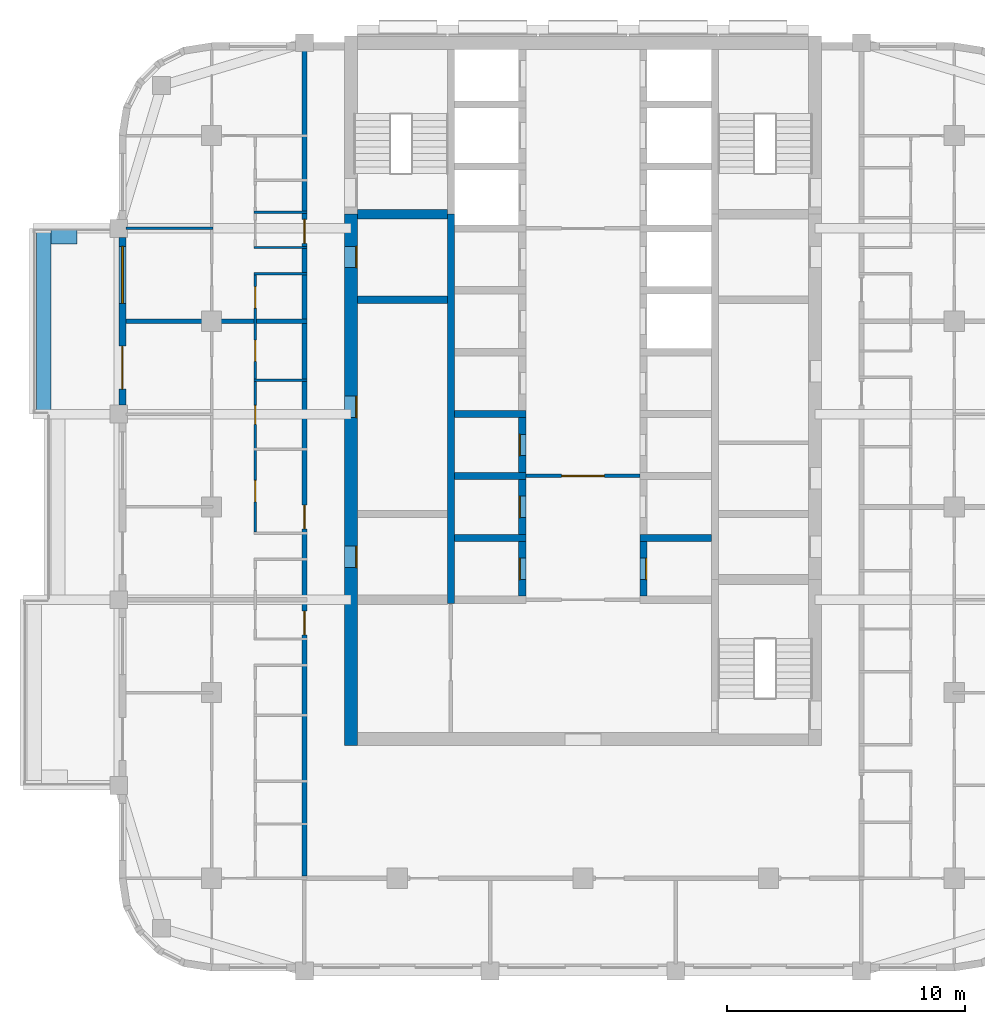
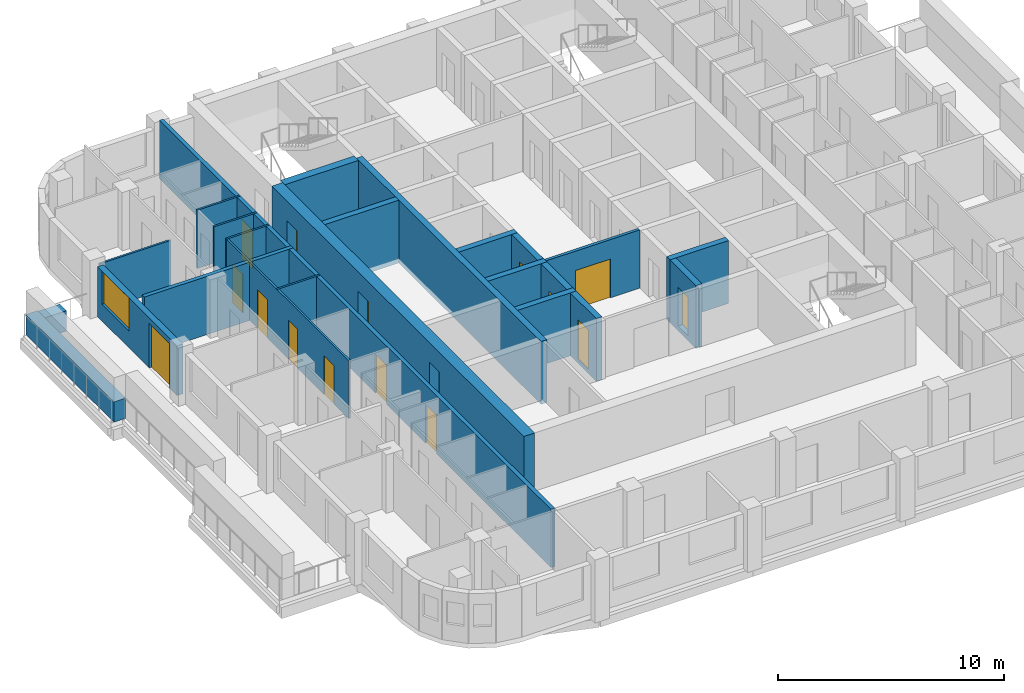
# One storey, part 4 of 13: 24 walls, 16 doors, 1 window, 17 openings.
"""IFC4 building model written with IfcOpenShell, lengths in metres."""

from ifc_helpers import new_model, si_unit, direction, frame, frame_2d, origin, place, context, subcontext, project, spatial, rectangle, extrude, material, layer, layer_set, type_object, element, fill, save


model = new_model("IFC4")

# Units and contexts
model_context = context("Model", 3, precision=1e-05, world=origin(), true_north=direction((0.0, 1.0)))
body_context = subcontext(model_context, "Body", "Model", "MODEL_VIEW")
ifc_project = project(units=[si_unit("LENGTHUNIT", "METRE"), si_unit("AREAUNIT", "SQUARE_METRE"), si_unit("VOLUMEUNIT", "CUBIC_METRE"), si_unit("PLANEANGLEUNIT", "RADIAN"), si_unit("MASSUNIT", "GRAM", prefix="KILO")], contexts=[model_context])

# Site, building, storey
site_placement = place(None, origin())
site = spatial("IfcSite", under=ifc_project, at=site_placement, CompositionType="ELEMENT")
building_placement = place(site_placement, origin())
building = spatial("IfcBuilding", under=site, at=building_placement, Name="Ludao Terraces", CompositionType="ELEMENT")
storey_placement = place(building_placement, frame((0.0, 0.0, 155.39990234375)))
storey = spatial("IfcBuildingStorey", under=building, at=storey_placement, Name="L42", CompositionType="ELEMENT", Elevation=155.39990234375)

# Wall, openings, doors
ifc_material_1 = material(Name="Concrete C60", Category="concrete")
ifc_layer_1 = layer(ifc_material_1, 0.550048828125)
ifc_layer_set_1 = layer_set([ifc_layer_1], Name="Core wall 550 C60")
wall_type_1 = type_object("IfcWallType", Name="Core wall 550 C60", PredefinedType="SOLIDWALL", material=ifc_layer_set_1)
wall_1_placement = place(storey_placement, frame((75.25, 54.97509765625, -0.25), z_axis=(0.0, 0.0, 1.0), x_axis=(0.0, 1.0, 0.0)))
wall_1 = element("IfcWall", 1, at=wall_1_placement, inside=storey, type_object=wall_type_1, Name="Core wall L42 outer-W", PredefinedType="SOLIDWALL", context=body_context, shape_type="SweptSolid", body=[
    extrude(rectangle(XDim=22.324951171875, YDim=0.550048828125, at=frame_2d((11.16259765625, 0.0))), origin(), (0.0, 0.0, 1.0), 3.400146484375),
])
opening_1_placement = place(wall_1_placement, frame((7.47509765625, 0.0, 0.25)))
opening_1 = element("IfcOpeningElement", 2, at=opening_1_placement, cuts=wall_1, Name="Opening R14-033", PredefinedType="OPENING", context=body_context, shape_type="SweptSolid", body=[
    extrude(rectangle(XDim=0.89990234375, YDim=2.10009765625, at=frame_2d((0.449951171875, 1.050048828125))), frame((0.0, 0.28515625, 0.0), z_axis=(0.0, -1.0, 0.0), x_axis=(1.0, 0.0, 0.0)), (0.0, 0.0, 1.0), 0.570068359375),
])
opening_2_placement = place(wall_1_placement, frame((13.77490234375, 0.0, 0.25)))
opening_2 = element("IfcOpeningElement", 3, at=opening_2_placement, cuts=wall_1, Name="Opening R14-051", PredefinedType="OPENING", context=body_context, shape_type="SweptSolid", body=[
    extrude(rectangle(XDim=0.89990234375, YDim=2.10009765625, at=frame_2d((0.449951171875, 1.050048828125))), frame((0.0, 0.28515625, 0.0), z_axis=(0.0, -1.0, 0.0), x_axis=(1.0, 0.0, 0.0)), (0.0, 0.0, 1.0), 0.570068359375),
])
opening_3_placement = place(wall_1_placement, frame((20.074951171875, 0.0, 0.25)))
opening_3 = element("IfcOpeningElement", 4, at=opening_3_placement, cuts=wall_1, Name="Opening R14-069", PredefinedType="OPENING", context=body_context, shape_type="SweptSolid", body=[
    extrude(rectangle(XDim=0.89990234375, YDim=2.10009765625, at=frame_2d((0.449951171875, 1.050048828125))), frame((0.0, 0.28515625, 0.0), z_axis=(0.0, -1.0, 0.0), x_axis=(1.0, 0.0, 0.0)), (0.0, 0.0, 1.0), 0.570068359375),
])
ifc_material_2 = material(Name="Steel Q235", Category="steel")
door_type_1 = type_object("IfcDoorType", Name="INT Riser door 900", OperationType="SINGLE_SWING_LEFT", PredefinedType="DOOR", material=ifc_material_2)
door_1_placement = place(opening_1_placement, origin())
door_1 = element("IfcDoor", 5, at=door_1_placement, inside=storey, type_object=door_type_1, Name="DOOR 033", OperationType="SINGLE_SWING_RIGHT", OverallHeight=2.10009765625, OverallWidth=0.89990234375, PredefinedType="DOOR", context=body_context, shape_type="SweptSolid", body=[
    extrude(rectangle(XDim=0.89990234375, YDim=2.10009765625, at=frame_2d((0.449951171875, 1.050048828125))), frame((0.0, -0.2099609375, 0.0), z_axis=(0.0, -1.0, 0.0), x_axis=(1.0, 0.0, 0.0)), (0.0, 0.0, 1.0), 0.050048828125),
])
fill(opening_1, door_1)
door_2_placement = place(opening_3_placement, origin())
door_2 = element("IfcDoor", 6, at=door_2_placement, inside=storey, type_object=door_type_1, Name="DOOR 069", OperationType="SINGLE_SWING_LEFT", OverallHeight=2.10009765625, OverallWidth=0.89990234375, PredefinedType="DOOR", context=body_context, shape_type="SweptSolid", body=[
    extrude(rectangle(XDim=0.89990234375, YDim=2.10009765625, at=frame_2d((0.449951171875, 1.050048828125))), frame((0.0, -0.2099609375, 0.0), z_axis=(0.0, -1.0, 0.0), x_axis=(1.0, 0.0, 0.0)), (0.0, 0.0, 1.0), 0.050048828125),
])
fill(opening_3, door_2)
ifc_material_3 = material(Name="Timber door leaf", Category="wood")
door_type_2 = type_object("IfcDoorType", Name="INT Room door 900", OperationType="SINGLE_SWING_LEFT", PredefinedType="DOOR", material=ifc_material_3)
door_3_placement = place(opening_2_placement, origin())
door_3 = element("IfcDoor", 7, at=door_3_placement, inside=storey, type_object=door_type_2, Name="DOOR 051", OperationType="SINGLE_SWING_LEFT", OverallHeight=2.10009765625, OverallWidth=0.89990234375, PredefinedType="DOOR", context=body_context, shape_type="SweptSolid", body=[
    extrude(rectangle(XDim=0.89990234375, YDim=2.10009765625, at=frame_2d((0.449951171875, 1.050048828125))), frame((0.0, -0.2099609375, 0.0), z_axis=(0.0, -1.0, 0.0), x_axis=(1.0, 0.0, 0.0)), (0.0, 0.0, 1.0), 0.050048828125),
])
fill(opening_2, door_3)

# Walls
ifc_material_4 = material(Name="Concrete C40", Category="concrete")
ifc_layer_2 = layer(ifc_material_4, 0.60009765625)
ifc_layer_set_2 = layer_set([ifc_layer_2], Name="ENV Planter trough 600")
wall_type_2 = type_object("IfcWallType", Name="ENV Planter trough 600", PredefinedType="USERDEFINED", material=ifc_layer_set_2)
wall_2_placement = place(storey_placement, frame((62.35009765625, 68.89990234375, 0.0), z_axis=(0.0, 0.0, 1.0), x_axis=(0.0, 1.0, 0.0)))
element("IfcWall", 8, at=wall_2_placement, inside=storey, type_object=wall_type_2, Name="PL-L42-W3", ObjectType="PLANTER", PredefinedType="USERDEFINED", context=body_context, shape_type="SweptSolid", body=[
    extrude(rectangle(XDim=7.800048828125, YDim=0.60009765625, at=frame_2d((3.89990234375, 0.0))), origin(), (0.0, 0.0, 1.0), 1.10009765625),
])
wall_3_placement = place(storey_placement, frame((62.64990234375, 76.35009765625, 0.0), z_axis=(0.0, 0.0, 1.0), x_axis=(1.0, 0.0, 0.0)))
element("IfcWall", 9, at=wall_3_placement, inside=storey, type_object=wall_type_2, Name="PL-L42-W3-SB", ObjectType="PLANTER", PredefinedType="USERDEFINED", context=body_context, shape_type="SweptSolid", body=[
    extrude(rectangle(XDim=1.10009765625, YDim=0.60009765625, at=frame_2d((0.550048828125, 0.0))), origin(), (0.0, 0.0, 1.0), 1.10009765625),
])

# Wall, openings, door, window
ifc_material_5 = material(Name="Granite cladding", Category="masonry")
ifc_layer_3 = layer(ifc_material_5, 0.0400390625, Category="stone")
ifc_material_6 = material(Name="Mineral wool")
ifc_layer_4 = layer(ifc_material_6, 0.06005859375)
ifc_layer_5 = layer(ifc_material_4, 0.199951171875, Category="concrete")
ifc_layer_set_3 = layer_set([ifc_layer_3, ifc_layer_4, ifc_layer_5], Name="ENV Stone-clad wall 300")
wall_type_3 = type_object("IfcWallType", Name="ENV Stone-clad wall 300", PredefinedType="SOLIDWALL", material=ifc_layer_set_3)
wall_4_placement = place(storey_placement, frame((65.64990234375, 69.27490234375, 0.0), z_axis=(0.0, 0.0, 1.0), x_axis=(0.0, 1.0, 0.0)))
wall_4 = element("IfcWall", 10, at=wall_4_placement, inside=storey, type_object=wall_type_3, Name="EW-L42-W4", PredefinedType="SOLIDWALL", context=body_context, shape_type="SweptSolid", body=[
    extrude(rectangle(XDim=7.050048828125, YDim=0.300048828125, at=frame_2d((3.52490234375, 0.0))), origin(), (0.0, 0.0, 1.0), 2.7001953125),
])
opening_4_placement = place(wall_4_placement, frame((0.675048828125, 0.0, 0.0)))
opening_4 = element("IfcOpeningElement", 11, at=opening_4_placement, cuts=wall_4, Name="Opening BD", PredefinedType="OPENING", context=body_context, shape_type="SweptSolid", body=[
    extrude(rectangle(XDim=1.800048828125, YDim=2.39990234375, at=frame_2d((0.89990234375, 1.199951171875))), frame((0.0, 0.16015625, 0.0), z_axis=(0.0, -1.0, 0.0), x_axis=(1.0, 0.0, 0.0)), (0.0, 0.0, 1.0), 0.320068359375),
])
opening_5_placement = place(wall_4_placement, frame((4.27490234375, 0.0, 0.89990234375)))
opening_5 = element("IfcOpeningElement", 12, at=opening_5_placement, cuts=wall_4, Name="Opening W1", PredefinedType="OPENING", context=body_context, shape_type="SweptSolid", body=[
    extrude(rectangle(XDim=2.39990234375, YDim=1.800048828125, at=frame_2d((1.199951171875, 0.89990234375))), frame((0.0, 0.16015625, 0.0), z_axis=(0.0, -1.0, 0.0), x_axis=(1.0, 0.0, 0.0)), (0.0, 0.0, 1.0), 0.320068359375),
])
ifc_material_7 = material(Name="Aluminium glazed door", Category="aluminium")
ifc_layer_6 = layer(ifc_material_7, 0.06005859375)
ifc_layer_set_4 = layer_set([ifc_layer_6], Name="ENV Balcony door BD 1800x2400")
door_type_3 = type_object("IfcDoorType", Name="ENV Balcony door BD 1800x2400", OperationType="DOUBLE_DOOR_SINGLE_SWING", PredefinedType="DOOR", material=ifc_layer_set_4)
door_4_placement = place(opening_4_placement, origin())
door_4 = element("IfcDoor", 13, at=door_4_placement, inside=storey, type_object=door_type_3, Name="BD-L42-W4-1", OperationType="DOUBLE_DOOR_SINGLE_SWING", OverallHeight=2.39990234375, OverallWidth=1.800048828125, PredefinedType="DOOR", context=body_context, shape_type="SweptSolid", body=[
    extrude(rectangle(XDim=1.800048828125, YDim=2.39990234375, at=frame_2d((0.89990234375, 1.199951171875))), frame((0.0, 0.02490234375, 0.0), z_axis=(0.0, -1.0, 0.0), x_axis=(1.0, 0.0, 0.0)), (0.0, 0.0, 1.0), 0.050048828125),
])
fill(opening_4, door_4)
ifc_material_8 = material(Name="Clear glass in aluminium frame", Category="aluminium")
ifc_layer_7 = layer(ifc_material_8, 0.06005859375)
ifc_layer_set_5 = layer_set([ifc_layer_7], Name="ENV Window W1 2400x1800")
window_type = type_object("IfcWindowType", Name="ENV Window W1 2400x1800", PartitioningType="DOUBLE_PANEL_VERTICAL", PredefinedType="WINDOW", material=ifc_layer_set_5)
window_placement = place(opening_5_placement, origin())
window = element("IfcWindow", 14, at=window_placement, inside=storey, type_object=window_type, Name="W-L42-W4-2", OverallHeight=1.800048828125, OverallWidth=2.39990234375, PartitioningType="DOUBLE_PANEL_VERTICAL", PredefinedType="WINDOW", context=body_context, shape_type="SweptSolid", body=[
    extrude(rectangle(XDim=2.39990234375, YDim=1.800048828125, at=frame_2d((1.199951171875, 0.89990234375))), frame((0.0, 0.030029296875, 0.0), z_axis=(0.0, -1.0, 0.0), x_axis=(1.0, 0.0, 0.0)), (0.0, 0.0, 1.0), 0.06005859375),
])
fill(opening_5, window)

# Wall, opening, door
ifc_material_9 = material(Name="Fire-rated gypsum plasterboard", Category="gypsum")
ifc_layer_8 = layer(ifc_material_9, 0.012451171875, Category="gypsum")
ifc_layer_9 = layer(ifc_material_6, 0.10009765625, Name="insulation")
ifc_layer_10 = layer(ifc_material_2, 0.02490234375, Name="stud")
ifc_layer_11 = layer(ifc_material_9, 0.012451171875, Category="gypsum")
ifc_layer_set_6 = layer_set([ifc_layer_8, ifc_layer_9, ifc_layer_10, ifc_layer_11], Name="INT Core partition 150")
wall_type_4 = type_object("IfcWallType", Name="INT Core partition 150", PredefinedType="PARTITIONING", material=ifc_layer_set_6)
wall_5_placement = place(storey_placement, frame((82.60009765625, 66.300048828125, 0.0), z_axis=(0.0, 0.0, 1.0), x_axis=(1.0, 0.0, 0.0)))
wall_5 = element("IfcWall", 15, at=wall_5_placement, inside=storey, type_object=wall_type_4, Name="PW-L42-PW024", PredefinedType="PARTITIONING", context=body_context, shape_type="SweptSolid", body=[
    extrude(rectangle(XDim=4.800048828125, YDim=0.14990234375, at=frame_2d((2.39990234375, 0.0))), origin(), (0.0, 0.0, 1.0), 3.150146484375),
])
opening_6_placement = place(wall_5_placement, frame((1.5, 0.0, 0.0)))
opening_6 = element("IfcOpeningElement", 16, at=opening_6_placement, cuts=wall_5, Name="Opening R14-044", PredefinedType="OPENING", context=body_context, shape_type="SweptSolid", body=[
    extrude(rectangle(XDim=1.800048828125, YDim=2.10009765625, at=frame_2d((0.89990234375, 1.050048828125))), frame((0.0, 0.0849609375, 0.0), z_axis=(0.0, -1.0, 0.0), x_axis=(1.0, 0.0, 0.0)), (0.0, 0.0, 1.0), 0.169921875),
])
door_type_4 = type_object("IfcDoorType", Name="INT Fire lobby door 1800", OperationType="DOUBLE_DOOR_SINGLE_SWING", PredefinedType="DOOR", material=ifc_material_2)
door_5_placement = place(opening_6_placement, origin())
door_5 = element("IfcDoor", 17, at=door_5_placement, inside=storey, type_object=door_type_4, Name="DOOR 044", OperationType="DOUBLE_DOOR_SINGLE_SWING", OverallHeight=2.10009765625, OverallWidth=1.800048828125, PredefinedType="DOOR", context=body_context, shape_type="SweptSolid", body=[
    extrude(rectangle(XDim=1.800048828125, YDim=2.10009765625, at=frame_2d((0.89990234375, 1.050048828125))), frame((0.0, 0.02490234375, 0.0), z_axis=(0.0, -1.0, 0.0), x_axis=(1.0, 0.0, 0.0)), (0.0, 0.0, 1.0), 0.050048828125),
])
fill(opening_6, door_5)

# Wall, openings, doors
ifc_material_10 = material(Name="Autoclaved aerated concrete block B06 A3.5", Category="concrete")
ifc_layer_12 = layer(ifc_material_10, 0.199951171875)
ifc_layer_set_7 = layer_set([ifc_layer_12], Name="INT Entrance wall 200")
wall_type_5 = type_object("IfcWallType", Name="INT Entrance wall 200", PredefinedType="PARTITIONING", material=ifc_layer_set_7)
wall_6_placement = place(storey_placement, frame((73.300048828125, 49.5, 0.0), z_axis=(0.0, 0.0, 1.0), x_axis=(0.0, 1.0, 0.0)))
wall_6 = element("IfcWall", 18, at=wall_6_placement, inside=storey, type_object=wall_type_5, Name="PW-L42-PW054", PredefinedType="PARTITIONING", context=body_context, shape_type="SweptSolid", body=[
    extrude(rectangle(XDim=34.7001953125, YDim=0.199951171875, at=frame_2d((17.35009765625, 0.0))), origin(), (0.0, 0.0, 1.0), 3.150146484375),
])
opening_7_placement = place(wall_6_placement, frame((10.125, 0.0, 0.0)))
opening_7 = element("IfcOpeningElement", 19, at=opening_7_placement, cuts=wall_6, Name="Opening R14-026", PredefinedType="OPENING", context=body_context, shape_type="SweptSolid", body=[
    extrude(rectangle(XDim=1.0, YDim=2.10009765625, at=frame_2d((0.5, 1.050048828125))), frame((0.0, 0.10986328125, 0.0), z_axis=(0.0, -1.0, 0.0), x_axis=(1.0, 0.0, 0.0)), (0.0, 0.0, 1.0), 0.219970703125),
])
opening_8_placement = place(wall_6_placement, frame((14.5751953125, 0.0, 0.0)))
opening_8 = element("IfcOpeningElement", 20, at=opening_8_placement, cuts=wall_6, Name="Opening R14-038", PredefinedType="OPENING", context=body_context, shape_type="SweptSolid", body=[
    extrude(rectangle(XDim=1.0, YDim=2.10009765625, at=frame_2d((0.5, 1.050048828125))), frame((0.0, 0.10986328125, 0.0), z_axis=(0.0, -1.0, 0.0), x_axis=(1.0, 0.0, 0.0)), (0.0, 0.0, 1.0), 0.219970703125),
])
opening_9_placement = place(wall_6_placement, frame((26.5751953125, 0.0, 0.0)))
opening_9 = element("IfcOpeningElement", 21, at=opening_9_placement, cuts=wall_6, Name="Opening R14-072", PredefinedType="OPENING", context=body_context, shape_type="SweptSolid", body=[
    extrude(rectangle(XDim=1.0, YDim=2.10009765625, at=frame_2d((0.5, 1.050048828125))), frame((0.0, 0.10986328125, 0.0), z_axis=(0.0, -1.0, 0.0), x_axis=(1.0, 0.0, 0.0)), (0.0, 0.0, 1.0), 0.219970703125),
])
door_type_5 = type_object("IfcDoorType", Name="INT Flat entrance door 1000", OperationType="SINGLE_SWING_LEFT", PredefinedType="DOOR", material=ifc_material_2)
door_6_placement = place(opening_7_placement, origin())
door_6 = element("IfcDoor", 22, at=door_6_placement, inside=storey, type_object=door_type_5, Name="DOOR 026", OperationType="SINGLE_SWING_RIGHT", OverallHeight=2.10009765625, OverallWidth=1.0, PredefinedType="DOOR", context=body_context, shape_type="SweptSolid", body=[
    extrude(rectangle(XDim=1.0, YDim=2.10009765625, at=frame_2d((0.5, 1.050048828125))), frame((0.0, 0.02490234375, 0.0), z_axis=(0.0, -1.0, 0.0), x_axis=(1.0, 0.0, 0.0)), (0.0, 0.0, 1.0), 0.050048828125),
])
fill(opening_7, door_6)
door_7_placement = place(opening_8_placement, origin())
door_7 = element("IfcDoor", 23, at=door_7_placement, inside=storey, type_object=door_type_5, Name="DOOR 038", OperationType="SINGLE_SWING_RIGHT", OverallHeight=2.10009765625, OverallWidth=1.0, PredefinedType="DOOR", context=body_context, shape_type="SweptSolid", body=[
    extrude(rectangle(XDim=1.0, YDim=2.10009765625, at=frame_2d((0.5, 1.050048828125))), frame((0.0, 0.02490234375, 0.0), z_axis=(0.0, -1.0, 0.0), x_axis=(1.0, 0.0, 0.0)), (0.0, 0.0, 1.0), 0.050048828125),
])
fill(opening_8, door_7)
door_8_placement = place(opening_9_placement, origin())
door_8 = element("IfcDoor", 24, at=door_8_placement, inside=storey, type_object=door_type_5, Name="DOOR 072", OperationType="SINGLE_SWING_RIGHT", OverallHeight=2.10009765625, OverallWidth=1.0, PredefinedType="DOOR", context=body_context, shape_type="SweptSolid", body=[
    extrude(rectangle(XDim=1.0, YDim=2.10009765625, at=frame_2d((0.5, 1.050048828125))), frame((0.0, 0.02490234375, 0.0), z_axis=(0.0, -1.0, 0.0), x_axis=(1.0, 0.0, 0.0)), (0.0, 0.0, 1.0), 0.050048828125),
])
fill(opening_9, door_8)

# Walls
ifc_material_11 = material(Name="Gypsum plasterboard", Category="gypsum")
ifc_layer_13 = layer(ifc_material_11, 0.012451171875, Category="gypsum")
ifc_layer_14 = layer(ifc_material_6, 0.06005859375, Name="insulation")
ifc_layer_15 = layer(ifc_material_2, 0.014892578125, Name="stud")
ifc_layer_16 = layer(ifc_material_11, 0.012451171875, Category="gypsum")
ifc_layer_set_8 = layer_set([ifc_layer_13, ifc_layer_14, ifc_layer_15, ifc_layer_16], Name="INT Partition 100")
wall_type_6 = type_object("IfcWallType", Name="INT Partition 100", PredefinedType="PARTITIONING", material=ifc_layer_set_8)
for number, where, z_axis, x_axis, name in (
    (25, (71.18017578125, 70.320068359375, 0.0), (0.0, 0.0, 1.0), (1.0, 0.0, 0.0), "PW-L42-PW030"),
    (26, (71.18017578125, 74.800048828125, 0.0), (0.0, 0.0, 1.0), (1.0, 0.0, 0.0), "PW-L42-PW035"),
    (27, (71.18017578125, 75.89990234375, 0.0), (0.0, 0.0, 1.0), (1.0, 0.0, 0.0), "PW-L42-PW037"),
):
    element("IfcWall", number, at=place(storey_placement, frame(where, z_axis=z_axis, x_axis=x_axis)), inside=storey, type_object=wall_type_6, Name=name, PredefinedType="PARTITIONING", context=body_context, shape_type="SweptSolid", body=[
        extrude(rectangle(XDim=2.219970703125, YDim=0.10009765625, at=frame_2d((1.10986328125, 0.0))), origin(), (0.0, 0.0, 1.0), 3.150146484375),
    ])
wall_7_placement = place(storey_placement, frame((65.800048828125, 76.699951171875, 0.0), z_axis=(0.0, 0.0, 1.0), x_axis=(1.0, 0.0, 0.0)))
element("IfcWall", 28, at=wall_7_placement, inside=storey, type_object=wall_type_6, Name="PW-L42-PW039", PredefinedType="PARTITIONING", context=body_context, shape_type="SweptSolid", body=[
    extrude(rectangle(XDim=3.650146484375, YDim=0.10009765625, at=frame_2d((1.8251953125, 0.0))), origin(), (0.0, 0.0, 1.0), 2.550048828125),
])
wall_8_placement = place(storey_placement, frame((71.18017578125, 77.3798828125, 0.0), z_axis=(0.0, 0.0, 1.0), x_axis=(1.0, 0.0, 0.0)))
element("IfcWall", 29, at=wall_8_placement, inside=storey, type_object=wall_type_6, Name="PW-L42-PW043", PredefinedType="PARTITIONING", context=body_context, shape_type="SweptSolid", body=[
    extrude(rectangle(XDim=2.219970703125, YDim=0.10009765625, at=frame_2d((1.10986328125, 0.0))), origin(), (0.0, 0.0, 1.0), 3.150146484375),
])

# Wall, openings, doors
wall_9_placement = place(storey_placement, frame((71.22998046875, 63.9501953125, 0.0), z_axis=(0.0, 0.0, 1.0), x_axis=(0.0, 1.0, 0.0)))
wall_9 = element("IfcWall", 30, at=wall_9_placement, inside=storey, type_object=wall_type_6, Name="PW-L42-PW051", PredefinedType="PARTITIONING", context=body_context, shape_type="SweptSolid", body=[
    extrude(rectangle(XDim=10.7998046875, YDim=0.10009765625, at=frame_2d((5.39990234375, 0.0))), origin(), (0.0, 0.0, 1.0), 3.150146484375),
])
opening_10_placement = place(wall_9_placement, frame((1.260009765625, 0.0, 0.0)))
opening_10 = element("IfcOpeningElement", 31, at=opening_10_placement, cuts=wall_9, Name="Opening R14-041", PredefinedType="OPENING", context=body_context, shape_type="SweptSolid", body=[
    extrude(rectangle(XDim=0.89990234375, YDim=2.10009765625, at=frame_2d((0.449951171875, 1.050048828125))), frame((0.0, 0.06005859375, 0.0), z_axis=(0.0, -1.0, 0.0), x_axis=(1.0, 0.0, 0.0)), (0.0, 0.0, 1.0), 0.1201171875),
])
opening_11_placement = place(wall_9_placement, frame((4.52001953125, 0.0, 0.0)))
opening_11 = element("IfcOpeningElement", 32, at=opening_11_placement, cuts=wall_9, Name="Opening R14-049", PredefinedType="OPENING", context=body_context, shape_type="SweptSolid", body=[
    extrude(rectangle(XDim=0.800048828125, YDim=2.10009765625, at=frame_2d((0.39990234375, 1.050048828125))), frame((0.0, 0.06005859375, 0.0), z_axis=(0.0, -1.0, 0.0), x_axis=(1.0, 0.0, 0.0)), (0.0, 0.0, 1.0), 0.1201171875),
])
opening_12_placement = place(wall_9_placement, frame((7.159912109375, 0.0, 0.0)))
opening_12 = element("IfcOpeningElement", 33, at=opening_12_placement, cuts=wall_9, Name="Opening R14-058", PredefinedType="OPENING", context=body_context, shape_type="SweptSolid", body=[
    extrude(rectangle(XDim=0.89990234375, YDim=2.10009765625, at=frame_2d((0.449951171875, 1.050048828125))), frame((0.0, 0.06005859375, 0.0), z_axis=(0.0, -1.0, 0.0), x_axis=(1.0, 0.0, 0.0)), (0.0, 0.0, 1.0), 0.1201171875),
])
opening_13_placement = place(wall_9_placement, frame((9.39990234375, 0.0, 0.0)))
opening_13 = element("IfcOpeningElement", 34, at=opening_13_placement, cuts=wall_9, Name="Opening R14-062", PredefinedType="OPENING", context=body_context, shape_type="SweptSolid", body=[
    extrude(rectangle(XDim=0.89990234375, YDim=2.10009765625, at=frame_2d((0.449951171875, 1.050048828125))), frame((0.0, 0.06005859375, 0.0), z_axis=(0.0, -1.0, 0.0), x_axis=(1.0, 0.0, 0.0)), (0.0, 0.0, 1.0), 0.1201171875),
])
door_type_6 = type_object("IfcDoorType", Name="INT Bathroom door 900", OperationType="SINGLE_SWING_LEFT", PredefinedType="DOOR", material=ifc_material_3)
door_9_placement = place(opening_12_placement, origin())
door_9 = element("IfcDoor", 35, at=door_9_placement, inside=storey, type_object=door_type_6, Name="DOOR 058", OperationType="SINGLE_SWING_LEFT", OverallHeight=2.10009765625, OverallWidth=0.89990234375, PredefinedType="DOOR", context=body_context, shape_type="SweptSolid", body=[
    extrude(rectangle(XDim=0.89990234375, YDim=2.10009765625, at=frame_2d((0.449951171875, 1.050048828125))), frame((0.0, 0.02490234375, 0.0), z_axis=(0.0, -1.0, 0.0), x_axis=(1.0, 0.0, 0.0)), (0.0, 0.0, 1.0), 0.050048828125),
])
fill(opening_12, door_9)
door_10_placement = place(opening_13_placement, origin())
door_10 = element("IfcDoor", 36, at=door_10_placement, inside=storey, type_object=door_type_6, Name="DOOR 062", OperationType="SINGLE_SWING_RIGHT", OverallHeight=2.10009765625, OverallWidth=0.89990234375, PredefinedType="DOOR", context=body_context, shape_type="SweptSolid", body=[
    extrude(rectangle(XDim=0.89990234375, YDim=2.10009765625, at=frame_2d((0.449951171875, 1.050048828125))), frame((0.0, 0.02490234375, 0.0), z_axis=(0.0, -1.0, 0.0), x_axis=(1.0, 0.0, 0.0)), (0.0, 0.0, 1.0), 0.050048828125),
])
fill(opening_13, door_10)
door_11_placement = place(opening_10_placement, origin())
door_11 = element("IfcDoor", 37, at=door_11_placement, inside=storey, type_object=door_type_2, Name="DOOR 041", OperationType="SINGLE_SWING_RIGHT", OverallHeight=2.10009765625, OverallWidth=0.89990234375, PredefinedType="DOOR", context=body_context, shape_type="SweptSolid", body=[
    extrude(rectangle(XDim=0.89990234375, YDim=2.10009765625, at=frame_2d((0.449951171875, 1.050048828125))), frame((0.0, 0.02490234375, 0.0), z_axis=(0.0, -1.0, 0.0), x_axis=(1.0, 0.0, 0.0)), (0.0, 0.0, 1.0), 0.050048828125),
])
fill(opening_10, door_11)
door_type_7 = type_object("IfcDoorType", Name="INT Store door 800", OperationType="SINGLE_SWING_LEFT", PredefinedType="DOOR", material=ifc_material_3)
door_12_placement = place(opening_11_placement, origin())
door_12 = element("IfcDoor", 38, at=door_12_placement, inside=storey, type_object=door_type_7, Name="DOOR 049", OperationType="SINGLE_SWING_RIGHT", OverallHeight=2.10009765625, OverallWidth=0.800048828125, PredefinedType="DOOR", context=body_context, shape_type="SweptSolid", body=[
    extrude(rectangle(XDim=0.800048828125, YDim=2.10009765625, at=frame_2d((0.39990234375, 1.050048828125))), frame((0.0, 0.02490234375, 0.0), z_axis=(0.0, -1.0, 0.0), x_axis=(1.0, 0.0, 0.0)), (0.0, 0.0, 1.0), 0.050048828125),
])
fill(opening_11, door_12)

# Walls
ifc_layer_17 = layer(ifc_material_10, 0.199951171875)
ifc_layer_set_9 = layer_set([ifc_layer_17], Name="INT Party wall 200")
wall_type_7 = type_object("IfcWallType", Name="INT Party wall 200", PredefinedType="PARTITIONING", material=ifc_layer_set_9)
wall_10_placement = place(storey_placement, frame((65.800048828125, 72.800048828125, 0.0), z_axis=(0.0, 0.0, 1.0), x_axis=(1.0, 0.0, 0.0)))
element("IfcWall", 39, at=wall_10_placement, inside=storey, type_object=wall_type_7, Name="PW-L42-PW033", PredefinedType="PARTITIONING", context=body_context, shape_type="SweptSolid", body=[
    extrude(rectangle(XDim=7.60009765625, YDim=0.199951171875, at=frame_2d((3.800048828125, 0.0))), origin(), (0.0, 0.0, 1.0), 3.150146484375),
])
ifc_material_12 = material(Name="Concrete C55", Category="concrete")
ifc_layer_18 = layer(ifc_material_12, 0.300048828125)
ifc_layer_set_10 = layer_set([ifc_layer_18], Name="Shaft wall 300 C55")
wall_type_8 = type_object("IfcWallType", Name="Shaft wall 300 C55", PredefinedType="SOLIDWALL", material=ifc_layer_set_10)
wall_11_placement = place(storey_placement, frame((79.449951171875, 60.949951171875, -0.25), z_axis=(0.0, 0.0, 1.0), x_axis=(0.0, 1.0, 0.0)))
element("IfcWall", 40, at=wall_11_placement, inside=storey, type_object=wall_type_8, Name="Core wall L42 back-W", PredefinedType="SOLIDWALL", context=body_context, shape_type="SweptSolid", body=[
    extrude(rectangle(XDim=16.35009765625, YDim=0.300048828125, at=frame_2d((8.175048828125, 0.0))), origin(), (0.0, 0.0, 1.0), 3.400146484375),
])

# Wall, opening, door
wall_12_placement = place(storey_placement, frame((82.449951171875, 61.25, -0.25), z_axis=(0.0, 0.0, 1.0), x_axis=(0.0, 1.0, 0.0)))
wall_12 = element("IfcWall", 41, at=wall_12_placement, inside=storey, type_object=wall_type_8, Name="Core wall L42 front-W1", PredefinedType="SOLIDWALL", context=body_context, shape_type="SweptSolid", body=[
    extrude(rectangle(XDim=2.300048828125, YDim=0.300048828125, at=frame_2d((1.14990234375, 0.0))), origin(), (0.0, 0.0, 1.0), 3.400146484375),
])
opening_14_placement = place(wall_12_placement, frame((0.699951171875, 0.0, 0.25)))
opening_14 = element("IfcOpeningElement", 42, at=opening_14_placement, cuts=wall_12, Name="Opening R14-031", PredefinedType="OPENING", context=body_context, shape_type="SweptSolid", body=[
    extrude(rectangle(XDim=0.89990234375, YDim=2.10009765625, at=frame_2d((0.449951171875, 1.050048828125))), frame((0.0, 0.16015625, 0.0), z_axis=(0.0, -1.0, 0.0), x_axis=(1.0, 0.0, 0.0)), (0.0, 0.0, 1.0), 0.320068359375),
])
door_13_placement = place(opening_14_placement, origin())
door_13 = element("IfcDoor", 43, at=door_13_placement, inside=storey, type_object=door_type_2, Name="DOOR 031", OperationType="SINGLE_SWING_RIGHT", OverallHeight=2.10009765625, OverallWidth=0.89990234375, PredefinedType="DOOR", context=body_context, shape_type="SweptSolid", body=[
    extrude(rectangle(XDim=0.89990234375, YDim=2.10009765625, at=frame_2d((0.449951171875, 1.050048828125))), frame((0.0, 0.13525390625, 0.0), z_axis=(0.0, -1.0, 0.0), x_axis=(1.0, 0.0, 0.0)), (0.0, 0.0, 1.0), 0.050048828125),
])
fill(opening_14, door_13)

# Wall
wall_13_placement = place(storey_placement, frame((79.60009765625, 63.699951171875, -0.25), z_axis=(0.0, 0.0, 1.0), x_axis=(1.0, 0.0, 0.0)))
element("IfcWall", 44, at=wall_13_placement, inside=storey, type_object=wall_type_8, Name="Core wall L42 div-W2", PredefinedType="SOLIDWALL", context=body_context, shape_type="SweptSolid", body=[
    extrude(rectangle(XDim=3.0, YDim=0.300048828125, at=frame_2d((1.5, 0.0))), origin(), (0.0, 0.0, 1.0), 3.400146484375),
])

# Wall, opening, door
wall_14_placement = place(storey_placement, frame((82.449951171875, 63.85009765625, -0.25), z_axis=(0.0, 0.0, 1.0), x_axis=(0.0, 1.0, 0.0)))
wall_14 = element("IfcWall", 45, at=wall_14_placement, inside=storey, type_object=wall_type_8, Name="Core wall L42 front-W2", PredefinedType="SOLIDWALL", context=body_context, shape_type="SweptSolid", body=[
    extrude(rectangle(XDim=2.2998046875, YDim=0.300048828125, at=frame_2d((1.14990234375, 0.0))), origin(), (0.0, 0.0, 1.0), 3.400146484375),
])
opening_15_placement = place(wall_14_placement, frame((0.699951171875, 0.0, 0.25)))
opening_15 = element("IfcOpeningElement", 46, at=opening_15_placement, cuts=wall_14, Name="Opening R14-039", PredefinedType="OPENING", context=body_context, shape_type="SweptSolid", body=[
    extrude(rectangle(XDim=0.89990234375, YDim=2.10009765625, at=frame_2d((0.449951171875, 1.050048828125))), frame((0.0, 0.16015625, 0.0), z_axis=(0.0, -1.0, 0.0), x_axis=(1.0, 0.0, 0.0)), (0.0, 0.0, 1.0), 0.320068359375),
])
door_14_placement = place(opening_15_placement, origin())
door_14 = element("IfcDoor", 47, at=door_14_placement, inside=storey, type_object=door_type_2, Name="DOOR 039", OperationType="SINGLE_SWING_LEFT", OverallHeight=2.10009765625, OverallWidth=0.89990234375, PredefinedType="DOOR", context=body_context, shape_type="SweptSolid", body=[
    extrude(rectangle(XDim=0.89990234375, YDim=2.10009765625, at=frame_2d((0.449951171875, 1.050048828125))), frame((0.0, 0.13525390625, 0.0), z_axis=(0.0, -1.0, 0.0), x_axis=(1.0, 0.0, 0.0)), (0.0, 0.0, 1.0), 0.050048828125),
])
fill(opening_15, door_14)

# Wall
wall_15_placement = place(storey_placement, frame((79.60009765625, 66.300048828125, -0.25), z_axis=(0.0, 0.0, 1.0), x_axis=(1.0, 0.0, 0.0)))
element("IfcWall", 48, at=wall_15_placement, inside=storey, type_object=wall_type_8, Name="Core wall L42 div-W3", PredefinedType="SOLIDWALL", context=body_context, shape_type="SweptSolid", body=[
    extrude(rectangle(XDim=3.0, YDim=0.300048828125, at=frame_2d((1.5, 0.0))), origin(), (0.0, 0.0, 1.0), 3.400146484375),
])

# Wall, opening, door
wall_16_placement = place(storey_placement, frame((82.449951171875, 66.449951171875, -0.25), z_axis=(0.0, 0.0, 1.0), x_axis=(0.0, 1.0, 0.0)))
wall_16 = element("IfcWall", 49, at=wall_16_placement, inside=storey, type_object=wall_type_8, Name="Core wall L42 front-W3", PredefinedType="SOLIDWALL", context=body_context, shape_type="SweptSolid", body=[
    extrude(rectangle(XDim=2.300048828125, YDim=0.300048828125, at=frame_2d((1.14990234375, 0.0))), origin(), (0.0, 0.0, 1.0), 3.400146484375),
])
opening_16_placement = place(wall_16_placement, frame((0.699951171875, 0.0, 0.25)))
opening_16 = element("IfcOpeningElement", 50, at=opening_16_placement, cuts=wall_16, Name="Opening R14-047", PredefinedType="OPENING", context=body_context, shape_type="SweptSolid", body=[
    extrude(rectangle(XDim=0.89990234375, YDim=2.10009765625, at=frame_2d((0.449951171875, 1.050048828125))), frame((0.0, 0.16015625, 0.0), z_axis=(0.0, -1.0, 0.0), x_axis=(1.0, 0.0, 0.0)), (0.0, 0.0, 1.0), 0.320068359375),
])
door_15_placement = place(opening_16_placement, origin())
door_15 = element("IfcDoor", 51, at=door_15_placement, inside=storey, type_object=door_type_2, Name="DOOR 047", OperationType="SINGLE_SWING_RIGHT", OverallHeight=2.10009765625, OverallWidth=0.89990234375, PredefinedType="DOOR", context=body_context, shape_type="SweptSolid", body=[
    extrude(rectangle(XDim=0.89990234375, YDim=2.10009765625, at=frame_2d((0.449951171875, 1.050048828125))), frame((0.0, 0.13525390625, 0.0), z_axis=(0.0, -1.0, 0.0), x_axis=(1.0, 0.0, 0.0)), (0.0, 0.0, 1.0), 0.050048828125),
])
fill(opening_16, door_15)

# Wall
wall_17_placement = place(storey_placement, frame((79.60009765625, 68.89990234375, -0.25), z_axis=(0.0, 0.0, 1.0), x_axis=(1.0, 0.0, 0.0)))
element("IfcWall", 52, at=wall_17_placement, inside=storey, type_object=wall_type_8, Name="Core wall L42 div-W4", PredefinedType="SOLIDWALL", context=body_context, shape_type="SweptSolid", body=[
    extrude(rectangle(XDim=3.0, YDim=0.300048828125, at=frame_2d((1.5, 0.0))), origin(), (0.0, 0.0, 1.0), 3.400146484375),
])

# Wall, opening, door
wall_18_placement = place(storey_placement, frame((87.550048828125, 61.25, -0.25), z_axis=(0.0, 0.0, 1.0), x_axis=(0.0, 1.0, 0.0)))
wall_18 = element("IfcWall", 53, at=wall_18_placement, inside=storey, type_object=wall_type_8, Name="Core wall L42 front-E1", PredefinedType="SOLIDWALL", context=body_context, shape_type="SweptSolid", body=[
    extrude(rectangle(XDim=2.300048828125, YDim=0.300048828125, at=frame_2d((1.14990234375, 0.0))), origin(), (0.0, 0.0, 1.0), 3.400146484375),
])
opening_17_placement = place(wall_18_placement, frame((0.699951171875, 0.0, 0.25)))
opening_17 = element("IfcOpeningElement", 54, at=opening_17_placement, cuts=wall_18, Name="Opening R14-032", PredefinedType="OPENING", context=body_context, shape_type="SweptSolid", body=[
    extrude(rectangle(XDim=0.89990234375, YDim=2.10009765625, at=frame_2d((0.449951171875, 1.050048828125))), frame((0.0, 0.16015625, 0.0), z_axis=(0.0, -1.0, 0.0), x_axis=(1.0, 0.0, 0.0)), (0.0, 0.0, 1.0), 0.320068359375),
])
door_16_placement = place(opening_17_placement, origin())
door_16 = element("IfcDoor", 55, at=door_16_placement, inside=storey, type_object=door_type_2, Name="DOOR 032", OperationType="SINGLE_SWING_LEFT", OverallHeight=2.10009765625, OverallWidth=0.89990234375, PredefinedType="DOOR", context=body_context, shape_type="SweptSolid", body=[
    extrude(rectangle(XDim=0.89990234375, YDim=2.10009765625, at=frame_2d((0.449951171875, 1.050048828125))), frame((0.0, -0.0849609375, 0.0), z_axis=(0.0, -1.0, 0.0), x_axis=(1.0, 0.0, 0.0)), (0.0, 0.0, 1.0), 0.050048828125),
])
fill(opening_17, door_16)

# Walls
wall_19_placement = place(storey_placement, frame((87.39990234375, 63.699951171875, -0.25), z_axis=(0.0, 0.0, 1.0), x_axis=(1.0, 0.0, 0.0)))
element("IfcWall", 56, at=wall_19_placement, inside=storey, type_object=wall_type_8, Name="Core wall L42 div-E2", PredefinedType="SOLIDWALL", context=body_context, shape_type="SweptSolid", body=[
    extrude(rectangle(XDim=3.0, YDim=0.300048828125, at=frame_2d((1.5, 0.0))), origin(), (0.0, 0.0, 1.0), 3.400146484375),
])
wall_20_placement = place(storey_placement, frame((75.52490234375, 73.699951171875, -0.25), z_axis=(0.0, 0.0, 1.0), x_axis=(1.0, 0.0, 0.0)))
element("IfcWall", 57, at=wall_20_placement, inside=storey, type_object=wall_type_8, Name="Core wall L42 riser-b-W", PredefinedType="SOLIDWALL", context=body_context, shape_type="SweptSolid", body=[
    extrude(rectangle(XDim=3.775146484375, YDim=0.300048828125, at=frame_2d((1.8876953125, 0.0))), origin(), (0.0, 0.0, 1.0), 3.400146484375),
])
ifc_layer_19 = layer(ifc_material_12, 0.39990234375)
ifc_layer_set_11 = layer_set([ifc_layer_19], Name="Shaft wall 400 C55")
wall_type_9 = type_object("IfcWallType", Name="Shaft wall 400 C55", PredefinedType="SOLIDWALL", material=ifc_layer_set_11)
wall_21_placement = place(storey_placement, frame((75.52490234375, 77.300048828125, -0.25), z_axis=(0.0, 0.0, 1.0), x_axis=(1.0, 0.0, 0.0)))
element("IfcWall", 58, at=wall_21_placement, inside=storey, type_object=wall_type_9, Name="Core wall L42 stair-W", PredefinedType="SOLIDWALL", context=body_context, shape_type="SweptSolid", body=[
    extrude(rectangle(XDim=3.775146484375, YDim=0.39990234375, at=frame_2d((1.8876953125, 0.0))), origin(), (0.0, 0.0, 1.0), 3.400146484375),
])

save(model, "model.ifc")
